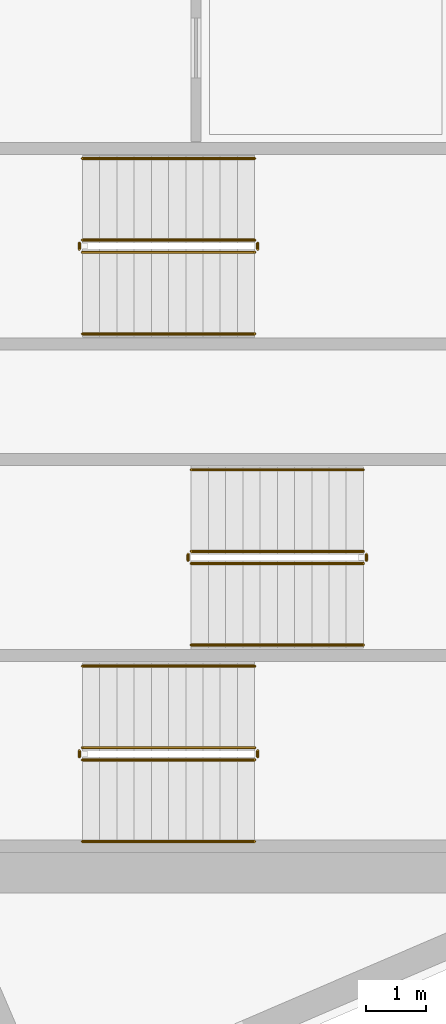
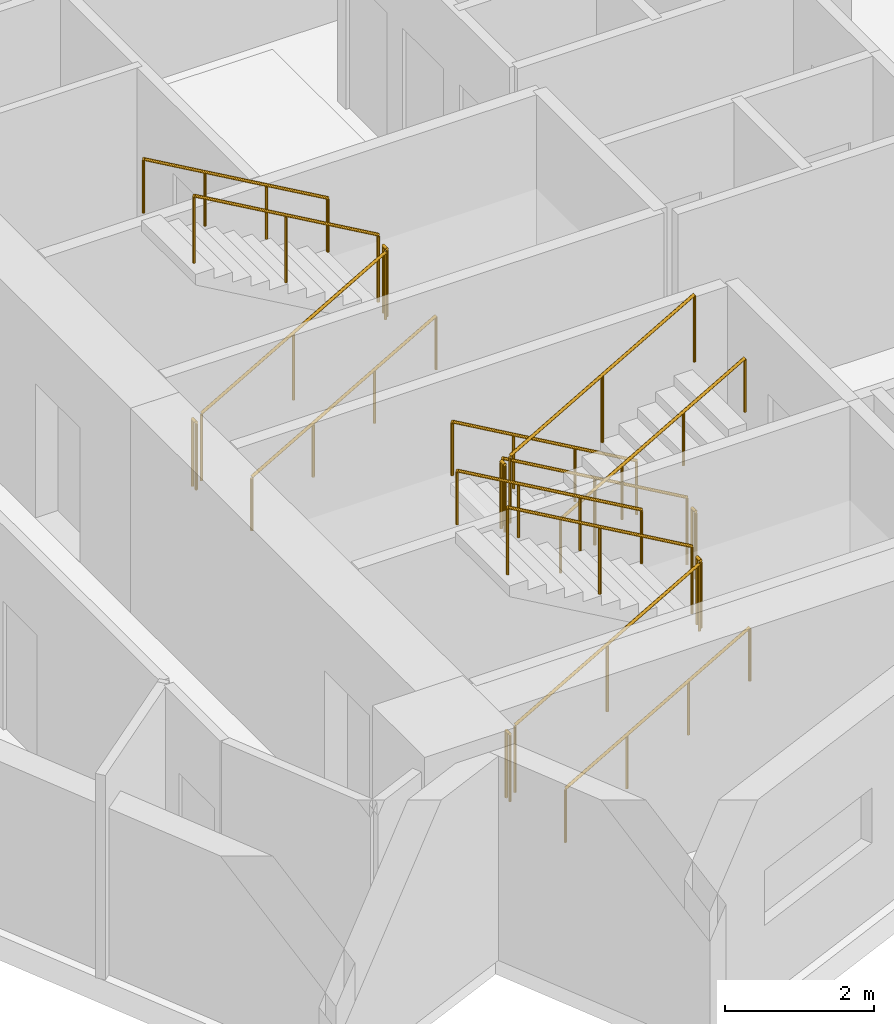
# One storey, part 12 of 13: 18 railings.
"""IFC4 building model written with IfcOpenShell, lengths in metres."""

from ifc_helpers import new_model, si_unit, direction, frame, origin, origin_2d, place, context, subcontext, project, spatial, circle, extrude, material, type_object, element, save


model = new_model("IFC4")

# Units and contexts
model_context = context("Model", 3, precision=1e-05, world=origin(), true_north=direction((0.0, 1.0)))
body_context = subcontext(model_context, "Body", "Model", "MODEL_VIEW")
ifc_project = project(units=[si_unit("LENGTHUNIT", "METRE"), si_unit("AREAUNIT", "SQUARE_METRE"), si_unit("VOLUMEUNIT", "CUBIC_METRE"), si_unit("PLANEANGLEUNIT", "RADIAN"), si_unit("MASSUNIT", "GRAM", prefix="KILO")], contexts=[model_context])

# Site, building, storey
site_placement = place(None, origin())
site = spatial("IfcSite", under=ifc_project, at=site_placement, CompositionType="ELEMENT")
building_placement = place(site_placement, origin())
building = spatial("IfcBuilding", under=site, at=building_placement, Name="Narakoshi Arena Tower", CompositionType="ELEMENT")
storey_placement = place(building_placement, frame((0.0, 0.0, 164.699951171875)))
storey = spatial("IfcBuildingStorey", under=building, at=storey_placement, Name="L44", CompositionType="ELEMENT", Elevation=164.699951171875)

# Railings
ifc_material_1 = material(Name="Clear low-iron laminated structural glass", Category="glass")
railing_type_1 = type_object("IfcRailingType", Name="RL-BAL-1100", PredefinedType="BALUSTRADE", material=ifc_material_1)
railing_1_placement = place(storey_placement, frame((74.39990234375, 36.949951171875, 0.16357421875)))
element("IfcRailing", 1, at=railing_1_placement, inside=storey, type_object=railing_type_1, Name="L44 ST1 stair guard 1", PredefinedType="BALUSTRADE", context=body_context, shape_type="SweptSolid", body=[
    extrude(circle(Radius=0.02392578125, at=origin_2d()), frame((0.0, 0.0, 1.09619140625), z_axis=(0.86721270334, 0.0, 0.497937874806), x_axis=(0.0, 1.0, 0.0)), (0.0, 0.0, 1.0), 3.28662109375),
    extrude(circle(Radius=0.02099609375, at=origin_2d()), origin(), (0.0, 0.0, 1.0), 1.072021484375),
    extrude(circle(Radius=0.02099609375, at=origin_2d()), frame((1.425048828125, 0.0, 0.818359375)), (0.0, 0.0, 1.0), 1.072021484375),
    extrude(circle(Radius=0.02099609375, at=origin_2d()), frame((2.85009765625, 0.0, 1.636474609375)), (0.0, 0.0, 1.0), 1.072021484375),
])
railing_2_placement = place(storey_placement, frame((77.300048828125, 37.0, 1.800048828125)))
element("IfcRailing", 2, at=railing_2_placement, inside=storey, type_object=railing_type_1, Name="L44 ST1 stair guard 2", PredefinedType="BALUSTRADE", context=body_context, shape_type="SweptSolid", body=[
    extrude(circle(Radius=0.02392578125, at=origin_2d()), frame((0.0, 0.0, 1.09619140625), z_axis=(0.0, 1.0, 0.0), x_axis=(-1.0, 0.0, 0.0)), (0.0, 0.0, 1.0), 0.10009765625),
    extrude(circle(Radius=0.02099609375, at=origin_2d()), origin(), (0.0, 0.0, 1.0), 1.072021484375),
    extrude(circle(Radius=0.02099609375, at=origin_2d()), frame((0.0, 0.10009765625, 0.0)), (0.0, 0.0, 1.0), 1.072021484375),
])
railing_3_placement = place(storey_placement, frame((77.25, 37.14990234375, 1.963623046875)))
element("IfcRailing", 3, at=railing_3_placement, inside=storey, type_object=railing_type_1, Name="L44 ST1 stair guard 3", PredefinedType="BALUSTRADE", context=body_context, shape_type="SweptSolid", body=[
    extrude(circle(Radius=0.02392578125, at=origin_2d()), frame((0.0, 0.0, 1.09619140625), z_axis=(-0.86721270334, 0.0, 0.497937874806), x_axis=(0.0, -1.0, 0.0)), (0.0, 0.0, 1.0), 3.28662109375),
    extrude(circle(Radius=0.02099609375, at=origin_2d()), origin(), (0.0, 0.0, 1.0), 1.072021484375),
    extrude(circle(Radius=0.02099609375, at=origin_2d()), frame((-1.425048828125, 0.0, 0.818359375)), (0.0, 0.0, 1.0), 1.072021484375),
    extrude(circle(Radius=0.02099609375, at=origin_2d()), frame((-2.85009765625, 0.0, 1.636474609375)), (0.0, 0.0, 1.0), 1.072021484375),
])
railing_4_placement = place(storey_placement, frame((74.35009765625, 37.0, 0.0)))
element("IfcRailing", 4, at=railing_4_placement, inside=storey, type_object=railing_type_1, Name="L44 ST1 stair guard 4", PredefinedType="BALUSTRADE", context=body_context, shape_type="SweptSolid", body=[
    extrude(circle(Radius=0.02392578125, at=origin_2d()), frame((0.0, 0.0, 1.09619140625), z_axis=(0.0, 1.0, 0.0), x_axis=(-1.0, 0.0, 0.0)), (0.0, 0.0, 1.0), 0.10009765625),
    extrude(circle(Radius=0.02099609375, at=origin_2d()), origin(), (0.0, 0.0, 1.0), 1.072021484375),
    extrude(circle(Radius=0.02099609375, at=origin_2d()), frame((0.0, 0.10009765625, 0.0)), (0.0, 0.0, 1.0), 1.072021484375),
])
railing_5_placement = place(storey_placement, frame((79.050048828125, 40.39990234375, 0.16357421875)))
element("IfcRailing", 5, at=railing_5_placement, inside=storey, type_object=railing_type_1, Name="L44 ST2 stair guard 1", PredefinedType="BALUSTRADE", context=body_context, shape_type="SweptSolid", body=[
    extrude(circle(Radius=0.02392578125, at=origin_2d()), frame((0.0, 0.0, 1.09619140625), z_axis=(-0.86721270334, 0.0, 0.497937874806), x_axis=(0.0, -1.0, 0.0)), (0.0, 0.0, 1.0), 3.28662109375),
    extrude(circle(Radius=0.02099609375, at=origin_2d()), origin(), (0.0, 0.0, 1.0), 1.072021484375),
    extrude(circle(Radius=0.02099609375, at=origin_2d()), frame((-1.425048828125, 0.0, 0.818359375)), (0.0, 0.0, 1.0), 1.072021484375),
    extrude(circle(Radius=0.02099609375, at=origin_2d()), frame((-2.85009765625, 0.0, 1.636474609375)), (0.0, 0.0, 1.0), 1.072021484375),
])
railing_6_placement = place(storey_placement, frame((76.14990234375, 40.35009765625, 1.800048828125)))
element("IfcRailing", 6, at=railing_6_placement, inside=storey, type_object=railing_type_1, Name="L44 ST2 stair guard 2", PredefinedType="BALUSTRADE", context=body_context, shape_type="SweptSolid", body=[
    extrude(circle(Radius=0.02392578125, at=origin_2d()), frame((0.0, 0.0, 1.09619140625), z_axis=(0.0, -1.0, 0.0), x_axis=(1.0, 0.0, 0.0)), (0.0, 0.0, 1.0), 0.10009765625),
    extrude(circle(Radius=0.02099609375, at=origin_2d()), origin(), (0.0, 0.0, 1.0), 1.072021484375),
    extrude(circle(Radius=0.02099609375, at=origin_2d()), frame((0.0, -0.10009765625, 0.0)), (0.0, 0.0, 1.0), 1.072021484375),
])
railing_7_placement = place(storey_placement, frame((76.199951171875, 40.199951171875, 1.963623046875)))
element("IfcRailing", 7, at=railing_7_placement, inside=storey, type_object=railing_type_1, Name="L44 ST2 stair guard 3", PredefinedType="BALUSTRADE", context=body_context, shape_type="SweptSolid", body=[
    extrude(circle(Radius=0.02392578125, at=origin_2d()), frame((0.0, 0.0, 1.09619140625), z_axis=(0.86721270334, 0.0, 0.497937874806), x_axis=(0.0, 1.0, 0.0)), (0.0, 0.0, 1.0), 3.28662109375),
    extrude(circle(Radius=0.02099609375, at=origin_2d()), origin(), (0.0, 0.0, 1.0), 1.072021484375),
    extrude(circle(Radius=0.02099609375, at=origin_2d()), frame((1.425048828125, 0.0, 0.818359375)), (0.0, 0.0, 1.0), 1.072021484375),
    extrude(circle(Radius=0.02099609375, at=origin_2d()), frame((2.85009765625, 0.0, 1.636474609375)), (0.0, 0.0, 1.0), 1.072021484375),
])
railing_8_placement = place(storey_placement, frame((79.10009765625, 40.35009765625, 0.0)))
element("IfcRailing", 8, at=railing_8_placement, inside=storey, type_object=railing_type_1, Name="L44 ST2 stair guard 4", PredefinedType="BALUSTRADE", context=body_context, shape_type="SweptSolid", body=[
    extrude(circle(Radius=0.02392578125, at=origin_2d()), frame((0.0, 0.0, 1.09619140625), z_axis=(0.0, -1.0, 0.0), x_axis=(1.0, 0.0, 0.0)), (0.0, 0.0, 1.0), 0.10009765625),
    extrude(circle(Radius=0.02099609375, at=origin_2d()), origin(), (0.0, 0.0, 1.0), 1.072021484375),
    extrude(circle(Radius=0.02099609375, at=origin_2d()), frame((0.0, -0.10009765625, 0.0)), (0.0, 0.0, 1.0), 1.072021484375),
])
railing_9_placement = place(storey_placement, frame((74.39990234375, 45.35009765625, 0.16357421875)))
element("IfcRailing", 9, at=railing_9_placement, inside=storey, type_object=railing_type_1, Name="L44 ST3 stair guard 1", PredefinedType="BALUSTRADE", context=body_context, shape_type="SweptSolid", body=[
    extrude(circle(Radius=0.02392578125, at=origin_2d()), frame((0.0, 0.0, 1.09619140625), z_axis=(0.86721270334, 0.0, 0.497937874806), x_axis=(0.0, 1.0, 0.0)), (0.0, 0.0, 1.0), 3.28662109375),
    extrude(circle(Radius=0.02099609375, at=origin_2d()), origin(), (0.0, 0.0, 1.0), 1.072021484375),
    extrude(circle(Radius=0.02099609375, at=origin_2d()), frame((1.425048828125, 0.0, 0.818359375)), (0.0, 0.0, 1.0), 1.072021484375),
    extrude(circle(Radius=0.02099609375, at=origin_2d()), frame((2.85009765625, 0.0, 1.636474609375)), (0.0, 0.0, 1.0), 1.072021484375),
])
railing_10_placement = place(storey_placement, frame((77.300048828125, 45.39990234375, 1.800048828125)))
element("IfcRailing", 10, at=railing_10_placement, inside=storey, type_object=railing_type_1, Name="L44 ST3 stair guard 2", PredefinedType="BALUSTRADE", context=body_context, shape_type="SweptSolid", body=[
    extrude(circle(Radius=0.02392578125, at=origin_2d()), frame((0.0, 0.0, 1.09619140625), z_axis=(0.0, 1.0, 0.0), x_axis=(-1.0, 0.0, 0.0)), (0.0, 0.0, 1.0), 0.10009765625),
    extrude(circle(Radius=0.02099609375, at=origin_2d()), origin(), (0.0, 0.0, 1.0), 1.072021484375),
    extrude(circle(Radius=0.02099609375, at=origin_2d()), frame((0.0, 0.10009765625, 0.0)), (0.0, 0.0, 1.0), 1.072021484375),
])
railing_11_placement = place(storey_placement, frame((77.25, 45.550048828125, 1.963623046875)))
element("IfcRailing", 11, at=railing_11_placement, inside=storey, type_object=railing_type_1, Name="L44 ST3 stair guard 3", PredefinedType="BALUSTRADE", context=body_context, shape_type="SweptSolid", body=[
    extrude(circle(Radius=0.02392578125, at=origin_2d()), frame((0.0, 0.0, 1.09619140625), z_axis=(-0.86721270334, 0.0, 0.497937874806), x_axis=(0.0, -1.0, 0.0)), (0.0, 0.0, 1.0), 3.28662109375),
    extrude(circle(Radius=0.02099609375, at=origin_2d()), origin(), (0.0, 0.0, 1.0), 1.072021484375),
    extrude(circle(Radius=0.02099609375, at=origin_2d()), frame((-1.425048828125, 0.0, 0.818359375)), (0.0, 0.0, 1.0), 1.072021484375),
    extrude(circle(Radius=0.02099609375, at=origin_2d()), frame((-2.85009765625, 0.0, 1.636474609375)), (0.0, 0.0, 1.0), 1.072021484375),
])
railing_12_placement = place(storey_placement, frame((74.35009765625, 45.39990234375, 0.0)))
element("IfcRailing", 12, at=railing_12_placement, inside=storey, type_object=railing_type_1, Name="L44 ST3 stair guard 4", PredefinedType="BALUSTRADE", context=body_context, shape_type="SweptSolid", body=[
    extrude(circle(Radius=0.02392578125, at=origin_2d()), frame((0.0, 0.0, 1.09619140625), z_axis=(0.0, 1.0, 0.0), x_axis=(-1.0, 0.0, 0.0)), (0.0, 0.0, 1.0), 0.10009765625),
    extrude(circle(Radius=0.02099609375, at=origin_2d()), origin(), (0.0, 0.0, 1.0), 1.072021484375),
    extrude(circle(Radius=0.02099609375, at=origin_2d()), frame((0.0, 0.10009765625, 0.0)), (0.0, 0.0, 1.0), 1.072021484375),
])
ifc_material_2 = material(Name="Brushed bronze stainless steel", Category="steel")
railing_type_2 = type_object("IfcRailingType", Name="RL-HND-900", PredefinedType="HANDRAIL", material=ifc_material_2)
railing_13_placement = place(storey_placement, frame((74.39990234375, 35.60009765625, 0.16357421875)))
element("IfcRailing", 13, at=railing_13_placement, inside=storey, type_object=railing_type_2, Name="L44 ST1 stair handrail 1", PredefinedType="HANDRAIL", context=body_context, shape_type="SweptSolid", body=[
    extrude(circle(Radius=0.02392578125, at=origin_2d()), frame((0.0, 0.0, 0.8759765625), z_axis=(0.86721270334, 0.0, 0.497937874806), x_axis=(0.0, 1.0, 0.0)), (0.0, 0.0, 1.0), 3.28662109375),
    extrude(circle(Radius=0.02099609375, at=origin_2d()), origin(), (0.0, 0.0, 1.0), 0.851806640625),
    extrude(circle(Radius=0.02099609375, at=origin_2d()), frame((0.949951171875, 0.0, 0.54541015625)), (0.0, 0.0, 1.0), 0.851806640625),
    extrude(circle(Radius=0.02099609375, at=origin_2d()), frame((1.900146484375, 0.0, 1.091064453125)), (0.0, 0.0, 1.0), 0.851806640625),
    extrude(circle(Radius=0.02099609375, at=origin_2d()), frame((2.85009765625, 0.0, 1.636474609375)), (0.0, 0.0, 1.0), 0.851806640625),
])
for number, where, name in (
    (14, (77.25, 38.5, 1.963623046875), "L44 ST1 stair handrail 2"),
    (15, (79.050048828125, 41.75, 0.16357421875), "L44 ST2 stair handrail 1"),
):
    element("IfcRailing", number, at=place(storey_placement, frame(where)), inside=storey, type_object=railing_type_2, Name=name, PredefinedType="HANDRAIL", context=body_context, shape_type="SweptSolid", body=[
        extrude(circle(Radius=0.02392578125, at=origin_2d()), frame((0.0, 0.0, 0.8759765625), z_axis=(-0.86721270334, 0.0, 0.497937874806), x_axis=(0.0, -1.0, 0.0)), (0.0, 0.0, 1.0), 3.28662109375),
        extrude(circle(Radius=0.02099609375, at=origin_2d()), origin(), (0.0, 0.0, 1.0), 0.851806640625),
        extrude(circle(Radius=0.02099609375, at=origin_2d()), frame((-0.949951171875, 0.0, 0.54541015625)), (0.0, 0.0, 1.0), 0.851806640625),
        extrude(circle(Radius=0.02099609375, at=origin_2d()), frame((-1.900146484375, 0.0, 1.091064453125)), (0.0, 0.0, 1.0), 0.851806640625),
        extrude(circle(Radius=0.02099609375, at=origin_2d()), frame((-2.85009765625, 0.0, 1.636474609375)), (0.0, 0.0, 1.0), 0.851806640625),
    ])
for number, where, name in (
    (16, (76.199951171875, 38.85009765625, 1.963623046875), "L44 ST2 stair handrail 2"),
    (17, (74.39990234375, 44.0, 0.16357421875), "L44 ST3 stair handrail 1"),
):
    element("IfcRailing", number, at=place(storey_placement, frame(where)), inside=storey, type_object=railing_type_2, Name=name, PredefinedType="HANDRAIL", context=body_context, shape_type="SweptSolid", body=[
        extrude(circle(Radius=0.02392578125, at=origin_2d()), frame((0.0, 0.0, 0.8759765625), z_axis=(0.86721270334, 0.0, 0.497937874806), x_axis=(0.0, 1.0, 0.0)), (0.0, 0.0, 1.0), 3.28662109375),
        extrude(circle(Radius=0.02099609375, at=origin_2d()), origin(), (0.0, 0.0, 1.0), 0.851806640625),
        extrude(circle(Radius=0.02099609375, at=origin_2d()), frame((0.949951171875, 0.0, 0.54541015625)), (0.0, 0.0, 1.0), 0.851806640625),
        extrude(circle(Radius=0.02099609375, at=origin_2d()), frame((1.900146484375, 0.0, 1.091064453125)), (0.0, 0.0, 1.0), 0.851806640625),
        extrude(circle(Radius=0.02099609375, at=origin_2d()), frame((2.85009765625, 0.0, 1.636474609375)), (0.0, 0.0, 1.0), 0.851806640625),
    ])
railing_14_placement = place(storey_placement, frame((77.25, 46.89990234375, 1.963623046875)))
element("IfcRailing", 18, at=railing_14_placement, inside=storey, type_object=railing_type_2, Name="L44 ST3 stair handrail 2", PredefinedType="HANDRAIL", context=body_context, shape_type="SweptSolid", body=[
    extrude(circle(Radius=0.02392578125, at=origin_2d()), frame((0.0, 0.0, 0.8759765625), z_axis=(-0.86721270334, 0.0, 0.497937874806), x_axis=(0.0, -1.0, 0.0)), (0.0, 0.0, 1.0), 3.28662109375),
    extrude(circle(Radius=0.02099609375, at=origin_2d()), origin(), (0.0, 0.0, 1.0), 0.851806640625),
    extrude(circle(Radius=0.02099609375, at=origin_2d()), frame((-0.949951171875, 0.0, 0.54541015625)), (0.0, 0.0, 1.0), 0.851806640625),
    extrude(circle(Radius=0.02099609375, at=origin_2d()), frame((-1.900146484375, 0.0, 1.091064453125)), (0.0, 0.0, 1.0), 0.851806640625),
    extrude(circle(Radius=0.02099609375, at=origin_2d()), frame((-2.85009765625, 0.0, 1.636474609375)), (0.0, 0.0, 1.0), 0.851806640625),
])

save(model, "model.ifc")
